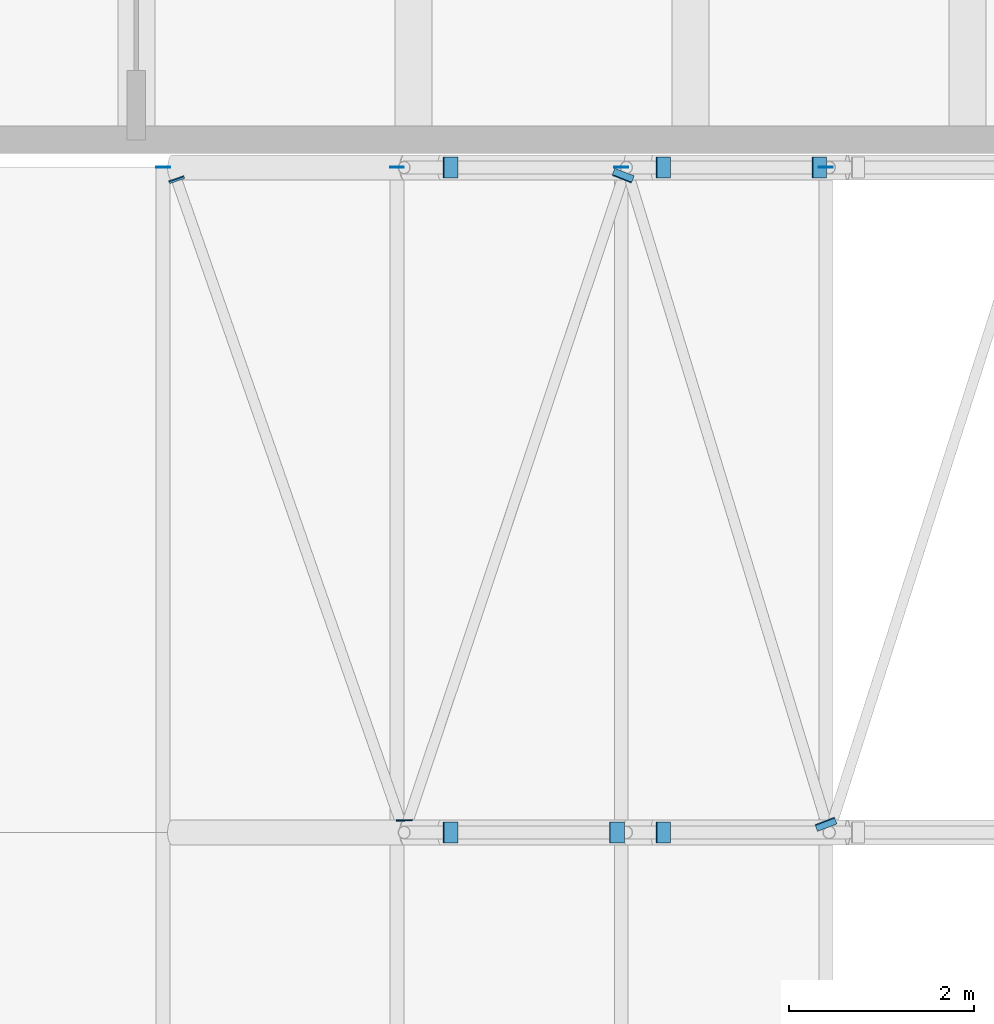
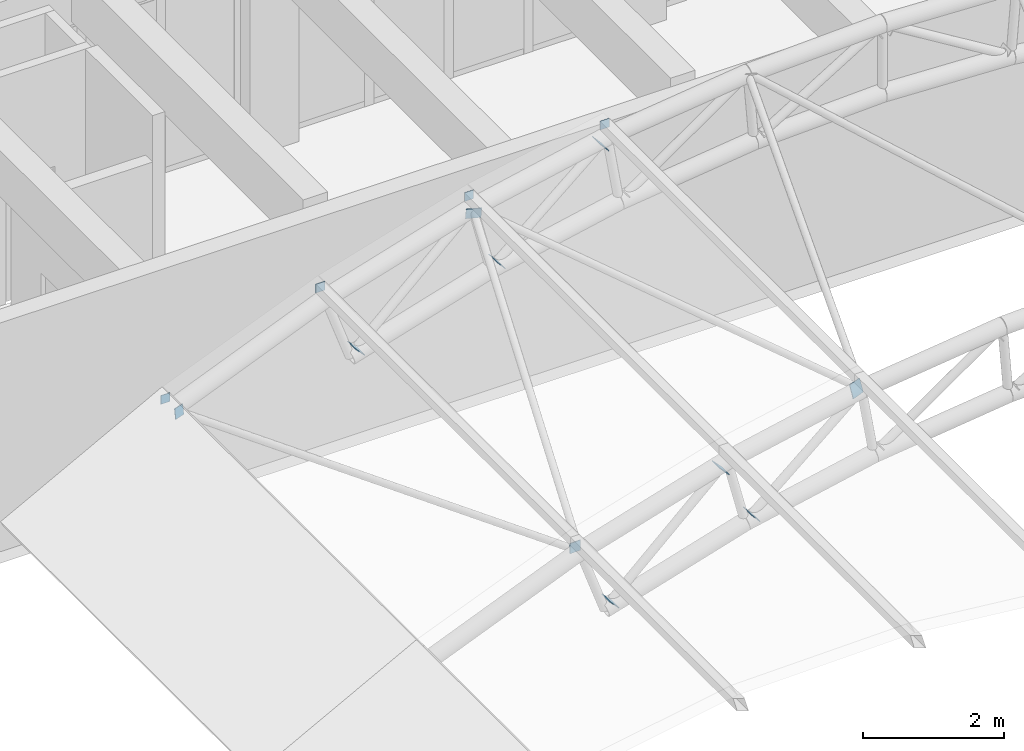
# One storey, part 71 of 92: 14 discrete accessories.
"""IFC4 building model written with IfcOpenShell, lengths in metres."""

from ifc_helpers import new_model, si_unit, direction, frame, origin, origin_2d, place, context, subcontext, project, spatial, rectangle, extrude, material, material_profile, profile_set, type_object, element, save


model = new_model("IFC4")

# Units and contexts
model_context = context("Model", 3, precision=1e-05, world=origin(), true_north=direction((0.0, 1.0)))
body_context = subcontext(model_context, "Body", "Model", "MODEL_VIEW")
ifc_project = project(units=[si_unit("LENGTHUNIT", "METRE"), si_unit("AREAUNIT", "SQUARE_METRE"), si_unit("VOLUMEUNIT", "CUBIC_METRE"), si_unit("PLANEANGLEUNIT", "RADIAN"), si_unit("MASSUNIT", "GRAM", prefix="KILO")], contexts=[model_context])

# Site, building, storey
site_placement = place(None, origin())
site = spatial("IfcSite", under=ifc_project, at=site_placement, CompositionType="ELEMENT")
building_placement = place(site_placement, origin())
building = spatial("IfcBuilding", under=site, at=building_placement, Name="Laocheng Heights Fire and Rescue Headquarters", CompositionType="ELEMENT")
storey_placement = place(building_placement, frame((0.0, 0.0, 12.60009765625)))
storey = spatial("IfcBuildingStorey", under=building, at=storey_placement, Name="L03", CompositionType="ELEMENT", Elevation=12.60009765625)

# Discrete accessories
ifc_material_1 = material(Name="Steel Q355B", Category="steel")
ifc_material_profile_1 = material_profile(ifc_material_1, rectangle(XDim=0.14990234375, YDim=0.14990234375, at=origin_2d()), Name="END CAP PLATE 150 x 150 x 8 FOR BAY ROOF PURLIN SHS 150x150x8")
ifc_profile_set_1 = profile_set([ifc_material_profile_1], Name="Steel Q355B")
discrete_accessory_type_1 = type_object("IfcDiscreteAccessoryType", Name="END CAP PLATE 150 x 150 x 8 FOR BAY ROOF PURLIN SHS 150x150x8", PredefinedType="BRACKET", material=ifc_profile_set_1)
for number, where, z_axis, x_axis, name in (
    (1, (24.289306640625, 21.60009765625, 1.822265625), (0.0, 1.0, 0.0), (-1.0, 0.0, 0.0), "Cap plate at Purlin 4.3 end 2"),
    (2, (26.822509765625, 21.60009765625, 2.8583984375), (0.0, 1.0, 0.0), (-1.0, 0.0, 0.0), "Cap plate at Purlin 5.3 end 2"),
    (3, (29.25, 21.60009765625, 3.587890625), (0.0, 1.0, 0.0), (-1.0, 0.0, 0.0), "Cap plate at Purlin 6.3 end 2"),
    (4, (31.465087890625, 21.60009765625, 4.047119140625), (0.0, 1.0, 0.0), (-1.0, 0.0, 0.0), "Cap plate at Purlin 7.3 end 2"),
):
    element("IfcDiscreteAccessory", number, at=place(storey_placement, frame(where, z_axis=z_axis, x_axis=x_axis)), inside=storey, type_object=discrete_accessory_type_1, Name=name, PredefinedType="BRACKET", context=body_context, shape_type="SweptSolid", body=[
        extrude(rectangle(XDim=0.14990234375, YDim=0.14990234375, at=origin_2d()), origin(), (0.0, 0.0, 1.0), 0.0078125),
    ])
ifc_material_2 = material(Name="Steel Q355B, dark grey painted", Category="steel")
ifc_material_profile_2 = material_profile(ifc_material_2, rectangle(XDim=0.175048828125, YDim=0.175048828125, at=origin_2d()), Name="GUSSET PLATE 175 x 175 x 12 FOR BAY ROOF BRACE CHS 114.3x5")
ifc_profile_set_2 = profile_set([ifc_material_profile_2], Name="Steel Q355B, dark grey painted")
discrete_accessory_type_2 = type_object("IfcDiscreteAccessoryType", Name="GUSSET PLATE 175 x 175 x 12 FOR BAY ROOF BRACE CHS 114.3x5", PredefinedType="BRACKET", material=ifc_profile_set_2)
discrete_accessory_1_placement = place(storey_placement, frame((24.4375, 21.46337890625, 1.62744140625), z_axis=(-0.326055658376, 0.93741001783, -0.122270871891), x_axis=(-0.944496796706, -0.328520624941, 0.0)))
element("IfcDiscreteAccessory", 5, at=discrete_accessory_1_placement, inside=storey, type_object=discrete_accessory_type_2, Name="End plate at BR20 end 2", PredefinedType="BRACKET", context=body_context, shape_type="SweptSolid", body=[
    extrude(rectangle(XDim=0.175048828125, YDim=0.175048828125, at=origin_2d()), origin(), (0.0, 0.0, 1.0), 0.011962890625),
])
ifc_material_3 = material(Name="Steel Q355B, dark grey painted", Category="steel")
ifc_material_profile_3 = material_profile(ifc_material_3, rectangle(XDim=0.22509765625, YDim=0.22509765625, at=origin_2d()), Name="GUSSET PLATE 225 x 225 x 12 FOR BAY ROOF DIAG CHS 139.7x6")
ifc_profile_set_3 = profile_set([ifc_material_profile_3], Name="Steel Q355B, dark grey painted")
discrete_accessory_type_3 = type_object("IfcDiscreteAccessoryType", Name="GUSSET PLATE 225 x 225 x 12 FOR BAY ROOF DIAG CHS 139.7x6", PredefinedType="BRACKET", material=ifc_profile_set_3)
for number, where, z_axis, x_axis, name in (
    (6, (27.398193359375, 14.39990234375, 1.597900390625), (0.72701315255, 0.0, 0.686623532964), (0.0, 1.0, 0.0), "End plate at TR3-DG05 end 1"),
    (7, (29.198974609375, 14.39990234375, 3.267578125), (0.72701315255, 0.0, 0.686623532964), (0.0, 1.0, 0.0), "End plate at TR3-DG05 end 2"),
):
    element("IfcDiscreteAccessory", number, at=place(storey_placement, frame(where, z_axis=z_axis, x_axis=x_axis)), inside=storey, type_object=discrete_accessory_type_3, Name=name, PredefinedType="BRACKET", context=body_context, shape_type="SweptSolid", body=[
        extrude(rectangle(XDim=0.22509765625, YDim=0.22509765625, at=origin_2d()), origin(), (0.0, 0.0, 1.0), 0.01220703125),
    ])
discrete_accessory_2_placement = place(storey_placement, frame((29.701904296875, 14.39990234375, 2.289794921875), z_axis=(0.756363172452, 0.0, 0.654151932932), x_axis=(0.0, 1.0, 0.0)))
element("IfcDiscreteAccessory", 8, at=discrete_accessory_2_placement, inside=storey, type_object=discrete_accessory_type_3, Name="End plate at TR3-DG06 end 1", PredefinedType="BRACKET", context=body_context, shape_type="SweptSolid", body=[
    extrude(rectangle(XDim=0.22509765625, YDim=0.22509765625, at=origin_2d()), origin(), (0.0, 0.0, 1.0), 0.011962890625),
])
discrete_accessory_3_placement = place(storey_placement, frame((27.398193359375, 21.60009765625, 1.597900390625), z_axis=(0.72701315255, 0.0, 0.686623532964), x_axis=(0.0, 1.0, 0.0)))
element("IfcDiscreteAccessory", 9, at=discrete_accessory_3_placement, inside=storey, type_object=discrete_accessory_type_3, Name="End plate at TR4-DG05 end 1", PredefinedType="BRACKET", context=body_context, shape_type="SweptSolid", body=[
    extrude(rectangle(XDim=0.22509765625, YDim=0.22509765625, at=origin_2d()), origin(), (0.0, 0.0, 1.0), 0.01220703125),
])
for number, where, z_axis, x_axis, name in (
    (10, (29.701904296875, 21.60009765625, 2.289794921875), (0.756363172452, 0.0, 0.654151932932), (0.0, 1.0, 0.0), "End plate at TR4-DG06 end 1"),
    (11, (31.39111328125, 21.60009765625, 3.732177734375), (0.756363172452, 0.0, 0.654151932932), (0.0, 1.0, 0.0), "End plate at TR4-DG06 end 2"),
):
    element("IfcDiscreteAccessory", number, at=place(storey_placement, frame(where, z_axis=z_axis, x_axis=x_axis)), inside=storey, type_object=discrete_accessory_type_3, Name=name, PredefinedType="BRACKET", context=body_context, shape_type="SweptSolid", body=[
        extrude(rectangle(XDim=0.22509765625, YDim=0.22509765625, at=origin_2d()), origin(), (0.0, 0.0, 1.0), 0.011962890625),
    ])
ifc_material_4 = material(Name="Steel Q355B, dark grey painted", Category="steel")
ifc_material_profile_4 = material_profile(ifc_material_4, rectangle(XDim=0.175048828125, YDim=0.175048828125, at=origin_2d()), Name="NODE PLATE 175 x 175 x 12 FOR BAY ROOF BRACE CHS 114.3x5")
ifc_profile_set_4 = profile_set([ifc_material_profile_4], Name="Steel Q355B, dark grey painted")
discrete_accessory_type_4 = type_object("IfcDiscreteAccessoryType", Name="NODE PLATE 175 x 175 x 12 FOR BAY ROOF BRACE CHS 114.3x5", PredefinedType="BRACKET", material=ifc_profile_set_4)
discrete_accessory_4_placement = place(storey_placement, frame((26.8994140625, 14.525634765625, 2.63623046875), z_axis=(-0.020399668712, 0.999583766891, -0.020399668712), x_axis=(-0.999791818463, -0.020403914663, 0.0)))
element("IfcDiscreteAccessory", 12, at=discrete_accessory_4_placement, inside=storey, type_object=discrete_accessory_type_4, Name="Node plate at BR20 end 1, BR21 end 1", PredefinedType="BRACKET", context=body_context, shape_type="SweptSolid", body=[
    extrude(rectangle(XDim=0.175048828125, YDim=0.175048828125, at=origin_2d()), origin(), (0.0, 0.0, 1.0), 0.011962890625),
])
ifc_material_5 = material(Name="Steel Q355B, dark grey painted", Category="steel")
ifc_material_profile_5 = material_profile(ifc_material_5, rectangle(XDim=0.22509765625, YDim=0.22509765625, at=origin_2d()), Name="NODE PLATE 225 x 225 x 12 FOR BAY ROOF BRACE CHS 114.3x5")
ifc_profile_set_5 = profile_set([ifc_material_profile_5], Name="Steel Q355B, dark grey painted")
discrete_accessory_type_5 = type_object("IfcDiscreteAccessoryType", Name="NODE PLATE 225 x 225 x 12 FOR BAY ROOF BRACE CHS 114.3x5", PredefinedType="BRACKET", material=ifc_profile_set_5)
for number, where, z_axis, x_axis, name in (
    (13, (31.46923828125, 14.483642578125, 3.79736328125), (-0.343451865148, 0.888934239206, -0.303045763366), (-0.932798134406, -0.360399279202, 0.0), "Node plate at BR22 end 1, BR23 end 1, TR3-DG06 end 2"),
    (14, (29.272705078125, 21.5166015625, 3.33544921875), (-0.347445625708, -0.878833053262, -0.327007647725), (0.929960720174, -0.367658889371, 0.0), "Node plate at BR21 end 2, BR22 end 2, TR4-DG05 end 2"),
):
    element("IfcDiscreteAccessory", number, at=place(storey_placement, frame(where, z_axis=z_axis, x_axis=x_axis)), inside=storey, type_object=discrete_accessory_type_5, Name=name, PredefinedType="BRACKET", context=body_context, shape_type="SweptSolid", body=[
        extrude(rectangle(XDim=0.22509765625, YDim=0.22509765625, at=origin_2d()), origin(), (0.0, 0.0, 1.0), 0.011962890625),
    ])

save(model, "model.ifc")
